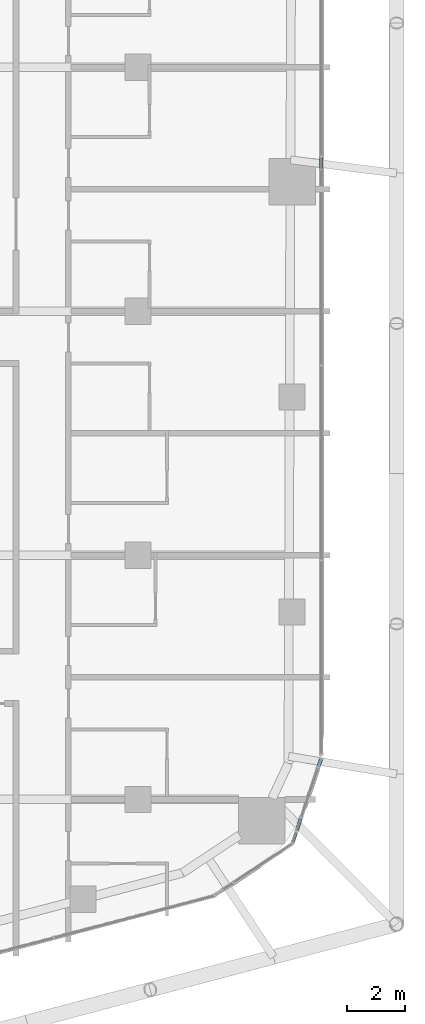
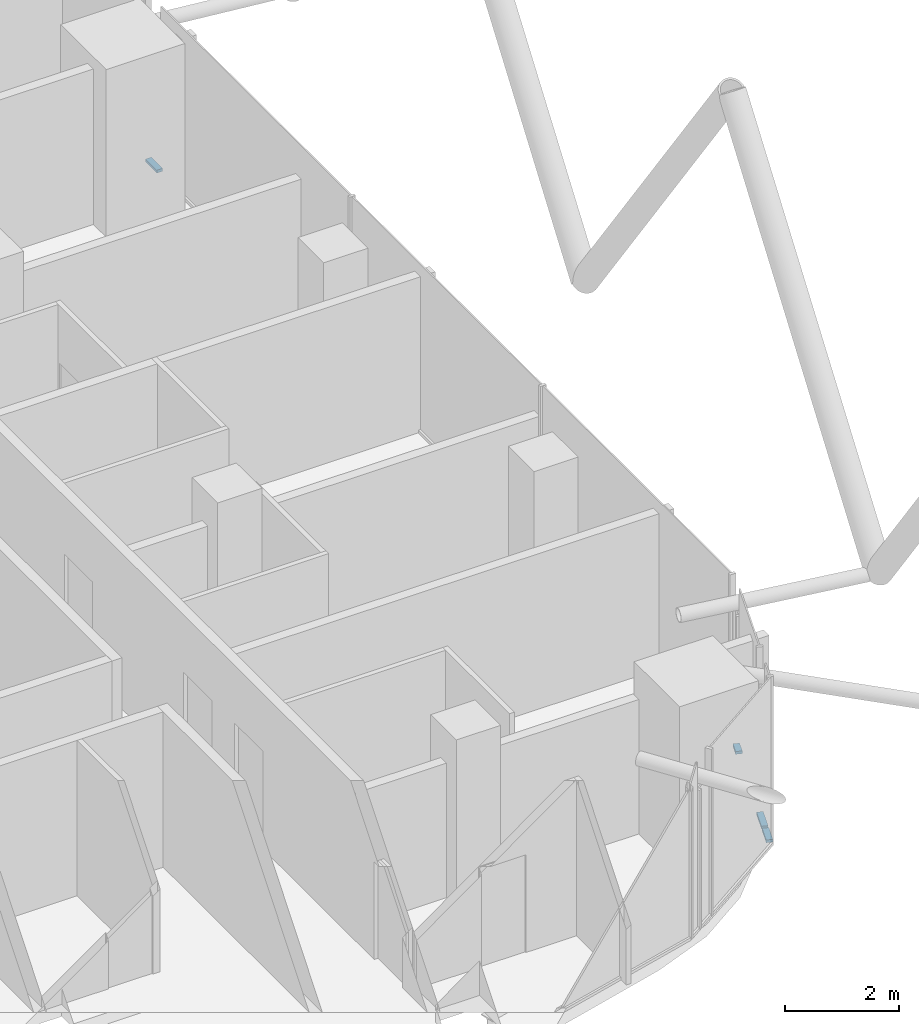
# One storey, part 16 of 36: 4 members, 4 elements without a shape of their own.
"""IFC4 building model written with IfcOpenShell, lengths in metres."""

from ifc_helpers import new_model, si_unit, direction, frame, origin, origin_2d, place, context, subcontext, project, spatial, rectangle, extrude, material, layer, layer_set, material_profile, profile_set, type_object, element, aggregate, save


model = new_model("IFC4")

# Units and contexts
model_context = context("Model", 3, precision=1e-05, world=origin(), true_north=direction((0.0, 1.0)))
body_context = subcontext(model_context, "Body", "Model", "MODEL_VIEW")
ifc_project = project(units=[si_unit("LENGTHUNIT", "METRE"), si_unit("AREAUNIT", "SQUARE_METRE"), si_unit("VOLUMEUNIT", "CUBIC_METRE"), si_unit("PLANEANGLEUNIT", "RADIAN"), si_unit("MASSUNIT", "GRAM", prefix="KILO")], contexts=[model_context])

# Site, building, storey
site_placement = place(None, origin())
site = spatial("IfcSite", under=ifc_project, at=site_placement, CompositionType="ELEMENT")
building_placement = place(site_placement, origin())
building = spatial("IfcBuilding", under=site, at=building_placement, Name="Marenta Gate Hotel Tower", CompositionType="ELEMENT")
storey_placement = place(building_placement, frame((0.0, 0.0, 144.5)))
storey = spatial("IfcBuildingStorey", under=building, at=storey_placement, Name="L33", CompositionType="ELEMENT", Elevation=144.5)

# Curtain wall, member
ifc_material_1 = material(Name="Tinted insulated glass in bronze anodised frame", Category="glass")
ifc_layer = layer(ifc_material_1, 0.1201171875)
ifc_layer_set = layer_set([ifc_layer], Name="Tinted insulated glass in bronze anodised frame")
curtain_wall_type = type_object("IfcCurtainWallType", Name="Tower unitised curtain wall CW1", PredefinedType="NOTDEFINED", material=ifc_layer_set)
curtain_wall_1_placement = place(storey_placement, origin())
curtain_wall_1 = element("IfcCurtainWall", 1, at=curtain_wall_1_placement, inside=storey, type_object=curtain_wall_type, Name="CW1 run G29", PredefinedType="NOTDEFINED")
ifc_material_2 = material(Name="Bronze anodised aluminium", Category="aluminium")
ifc_material_profile = material_profile(ifc_material_2, rectangle(XDim=0.1201171875, YDim=0.06005859375, at=origin_2d()), Name="Transom CW1 60x120 bronze anodised aluminium")
ifc_profile_set = profile_set([ifc_material_profile], Name="Bronze anodised aluminium")
member_type = type_object("IfcMemberType", Name="Transom CW1 60x120 bronze anodised aluminium", PredefinedType="USERDEFINED", material=ifc_profile_set)
member_1_placement = place(storey_placement, frame((26.32421875, -18.27783203125, 0.030029296875), z_axis=(0.322187955567, 0.946675721294, 0.0), x_axis=(-0.946675721294, 0.322187955567, 0.0)))
member_1 = element("IfcMember", 2, at=member_1_placement, type_object=member_type, Name="CW1 transom 1.1", ObjectType="TRANSOM", PredefinedType="USERDEFINED", context=body_context, shape_type="SweptSolid", body=[
    extrude(rectangle(XDim=0.1201171875, YDim=0.06005859375, at=origin_2d()), origin(), (0.0, 0.0, 1.0), 0.3681640625),
])
aggregate(curtain_wall_1, [member_1])

curtain_wall_2_placement = place(storey_placement, origin())
curtain_wall_2 = element("IfcCurtainWall", 3, at=curtain_wall_2_placement, inside=storey, type_object=curtain_wall_type, Name="CW1 run G30", PredefinedType="NOTDEFINED")
member_2_placement = place(storey_placement, frame((26.462158203125, -17.872314453125, 0.030029296875), z_axis=(0.321804616278, 0.946806098915, 0.0), x_axis=(-0.946806098915, 0.321804616278, 0.0)))
member_2 = element("IfcMember", 4, at=member_2_placement, type_object=member_type, Name="CW1 transom 1.1", ObjectType="TRANSOM", PredefinedType="USERDEFINED", context=body_context, shape_type="SweptSolid", body=[
    extrude(rectangle(XDim=0.1201171875, YDim=0.06005859375, at=origin_2d()), origin(), (0.0, 0.0, 1.0), 0.446044921875),
])
aggregate(curtain_wall_2, [member_2])

curtain_wall_3_placement = place(storey_placement, origin())
curtain_wall_3 = element("IfcCurtainWall", 5, at=curtain_wall_3_placement, inside=storey, type_object=curtain_wall_type, Name="CW1 run G32", PredefinedType="NOTDEFINED")
member_3_placement = place(storey_placement, frame((27.21533203125, -15.65771484375, 0.030029296875), z_axis=(0.322471894832, 0.946579038984, 0.0), x_axis=(-0.946579038984, 0.322471894832, 0.0)))
member_3 = element("IfcMember", 6, at=member_3_placement, type_object=member_type, Name="CW1 transom 1.1", ObjectType="TRANSOM", PredefinedType="USERDEFINED", context=body_context, shape_type="SweptSolid", body=[
    extrude(rectangle(XDim=0.1201171875, YDim=0.06005859375, at=origin_2d()), origin(), (0.0, 0.0, 1.0), 0.24609375),
])
aggregate(curtain_wall_3, [member_3])

curtain_wall_4_placement = place(storey_placement, origin())
curtain_wall_4 = element("IfcCurtainWall", 7, at=curtain_wall_4_placement, inside=storey, type_object=curtain_wall_type, Name="CW1 run G34", PredefinedType="NOTDEFINED")
member_4_placement = place(storey_placement, frame((27.31396484375, 4.906982421875, 0.030029296875), z_axis=(0.0, 1.0, 0.0), x_axis=(-1.0, 0.0, 0.0)))
member_4 = element("IfcMember", 8, at=member_4_placement, type_object=member_type, Name="CW1 transom 1.1", ObjectType="TRANSOM", PredefinedType="USERDEFINED", context=body_context, shape_type="SweptSolid", body=[
    extrude(rectangle(XDim=0.1201171875, YDim=0.06005859375, at=origin_2d()), origin(), (0.0, 0.0, 1.0), 0.396728515625),
])
aggregate(curtain_wall_4, [member_4])

save(model, "model.ifc")
